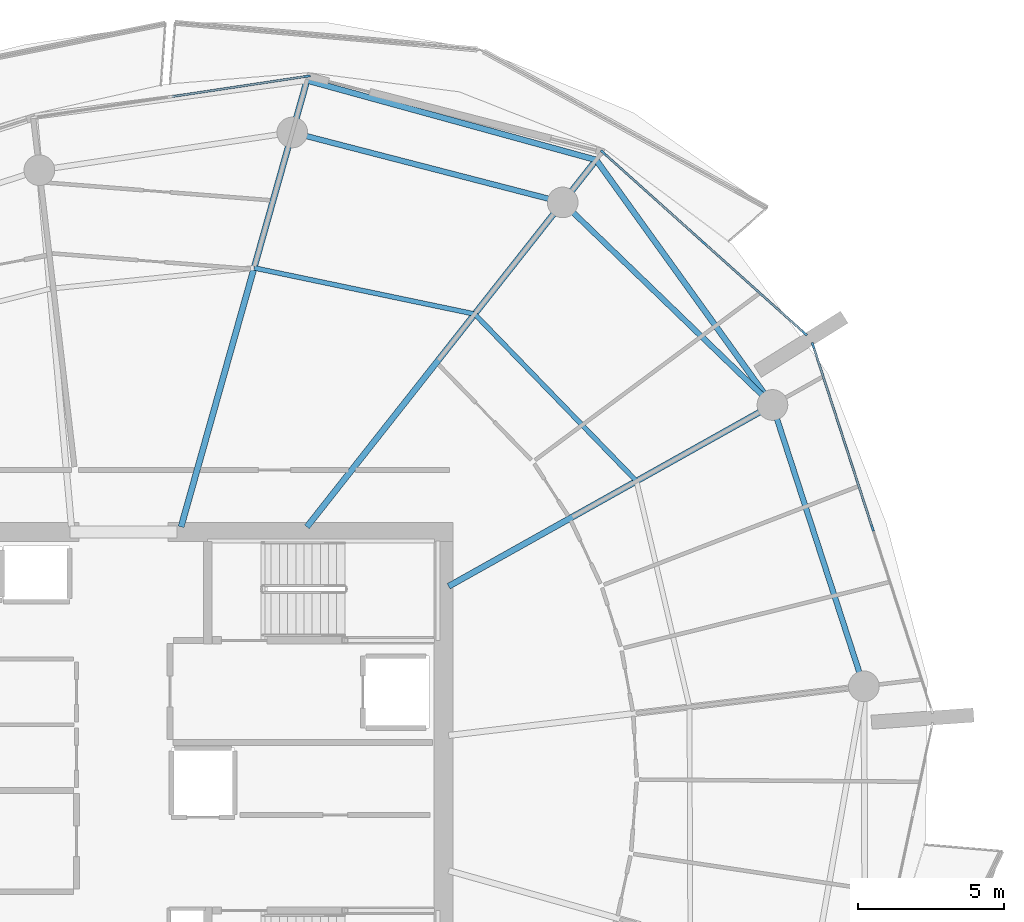
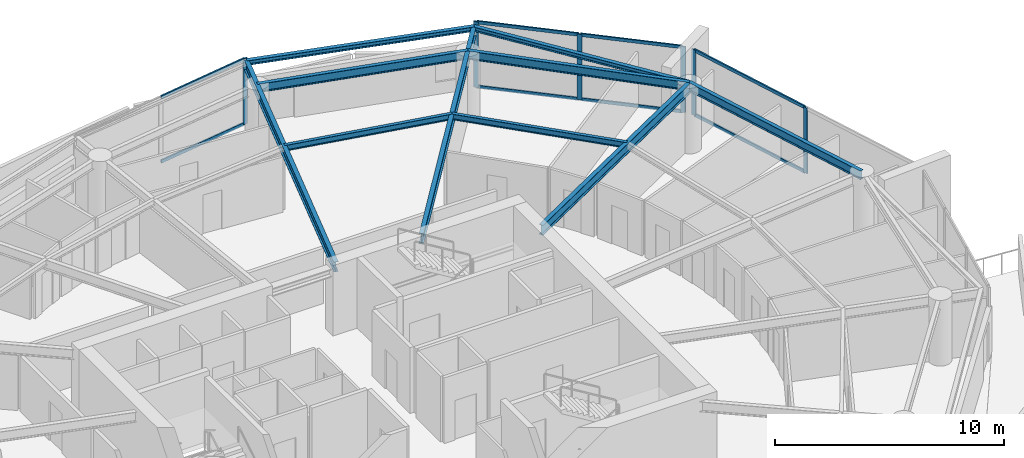
# One storey, part 9 of 20: 14 members, 10 beams, 3 elements without a shape of their own.
"""IFC4 building model written with IfcOpenShell, lengths in metres."""

import ifcopenshell
import ifcopenshell.guid

model = None  # the IFC model being written
_history = None  # IfcOwnerHistory: only IFC2X3 demands one
_inside = {}  # id of a spatial element -> (the spatial element, [elements in it])
_under = {}  # id of a project, library or spatial element -> (it, [spatial elements below it])
_declared = {}  # id of a project -> (the project, [libraries it declares])
_typed = {}  # id of a type object -> (the type object, [elements of that type])
_made_of = {}  # id of a material, layer set ... -> (it, [elements and type objects made of it])


def new_model(schema):
    """Start an empty IFC model of exactly this schema.

    Asked for "IFC4X3", IfcOpenShell would pick the latest addendum, in which some entities
    have other attributes; the version numbers below select the first issue.
    IFC2X3 requires an IfcOwnerHistory on every rooted entity: one is made here for all.
    """
    global model, _history
    if schema == "IFC4X3":
        model = ifcopenshell.file(schema_version=(4, 3, 0, 0))
    else:
        model = ifcopenshell.file(schema=schema)
    _inside.clear()
    _under.clear()
    _declared.clear()
    _typed.clear()
    _made_of.clear()
    _history = None
    if model.schema == "IFC2X3":
        org = make("IfcOrganization", Name="unknown")
        user = make(
            "IfcPersonAndOrganization",
            ThePerson=make("IfcPerson", FamilyName="unknown"),
            TheOrganization=org,
        )
        app = make(
            "IfcApplication",
            ApplicationDeveloper=org,
            Version="unknown",
            ApplicationFullName="unknown",
            ApplicationIdentifier="unknown",
        )
        _history = make(
            "IfcOwnerHistory",
            OwningUser=user,
            OwningApplication=app,
            ChangeAction="ADDED",
            CreationDate=0,
        )
    return model


def make(cls, **values):
    """One entity of the class cls with the attributes given. An attribute that is None is left unset."""
    return model.create_entity(
        cls, **{name: value for name, value in values.items() if value is not None}
    )


def rooted(cls, **values):
    """An entity with a GlobalId (a new one), such as an element, a storey or a relation."""
    return make(cls, GlobalId=ifcopenshell.guid.new(), OwnerHistory=_history, **values)


def si_unit(unit_type, name, prefix=None):
    """IfcSIUnit, for example si_unit("LENGTHUNIT", "METRE", prefix="MILLI")."""
    return make("IfcSIUnit", UnitType=unit_type, Prefix=prefix, Name=name)


def assignment(units):
    """IfcUnitAssignment: the units of a project."""
    return None if units is None else make("IfcUnitAssignment", Units=units)


def point(xyz):
    """IfcCartesianPoint."""
    return None if xyz is None else make("IfcCartesianPoint", Coordinates=xyz)


def direction(xyz):
    """IfcDirection."""
    return None if xyz is None else make("IfcDirection", DirectionRatios=xyz)


def frame(location, z_axis=None, x_axis=None):
    """IfcAxis2Placement3D, a coordinate frame: its origin and axes. An axis left out is left unset."""
    return make(
        "IfcAxis2Placement3D",
        Location=point(location),
        Axis=direction(z_axis),
        RefDirection=direction(x_axis),
    )


def frame_2d(location, x_axis=None):
    """IfcAxis2Placement2D, a coordinate frame in the plane: its origin and x axis."""
    return make(
        "IfcAxis2Placement2D", Location=point(location), RefDirection=direction(x_axis)
    )


def origin():
    """The frame at (0, 0, 0) with its axes left unset."""
    return frame((0.0, 0.0, 0.0))


def origin_2d():
    """The frame at (0, 0) in the plane with its x axis left unset."""
    return frame_2d((0.0, 0.0))


def place(relative_to, where):
    """IfcLocalPlacement: puts the frame where relative to a parent placement (None: the world)."""
    return make(
        "IfcLocalPlacement", PlacementRelTo=relative_to, RelativePlacement=where
    )


def context(
    kind, dimensions, precision=None, world=None, true_north=None, identifier=None
):
    """IfcGeometricRepresentationContext, for example the 3D "Model" context."""
    return make(
        "IfcGeometricRepresentationContext",
        ContextIdentifier=identifier,
        ContextType=kind,
        CoordinateSpaceDimension=dimensions,
        Precision=precision,
        WorldCoordinateSystem=world,
        TrueNorth=true_north,
    )


def subcontext(parent, identifier, kind, view, scale=None):
    """IfcGeometricRepresentationSubContext, for example "Body" below "Model"."""
    return make(
        "IfcGeometricRepresentationSubContext",
        ContextIdentifier=identifier,
        ContextType=kind,
        ParentContext=parent,
        TargetScale=scale,
        TargetView=view,
    )


def project(units=None, contexts=None):
    """IfcProject with its units and contexts."""
    return rooted(
        "IfcProject",
        Name="project",
        RepresentationContexts=contexts,
        UnitsInContext=assignment(units),
    )


def spatial(cls, under=None, at=None, **own):
    """A site, building, storey or space (cls), placed at a placement, below another one or the project."""
    s = rooted(cls, ObjectPlacement=at, **own)
    if under is not None:
        _under.setdefault(under.id(), (under, []))[1].append(s)
    return s


def profile(cls, at=None, kind="AREA", **sizes):
    """A parametric profile (cls). Its sizes go by their IFC names, for example OverallWidth=200.0."""
    return make(cls, ProfileType=kind, Position=at, **sizes)


def rectangle(**sizes):
    """IfcRectangleProfileDef."""
    return profile("IfcRectangleProfileDef", **sizes)


def i_section(**sizes):
    """IfcIShapeProfileDef."""
    return profile("IfcIShapeProfileDef", **sizes)


def extrude(swept, where, along, depth):
    """IfcExtrudedAreaSolid: the profile swept, set in the frame where, extruded along a direction by depth."""
    return make(
        "IfcExtrudedAreaSolid",
        SweptArea=swept,
        Position=where,
        ExtrudedDirection=direction(along),
        Depth=depth,
    )


def shape(context_of_items, identifier, shape_type, items):
    """IfcShapeRepresentation: the items that make up one representation, for example the "Body"."""
    return make(
        "IfcShapeRepresentation",
        ContextOfItems=context_of_items,
        RepresentationIdentifier=identifier,
        RepresentationType=shape_type,
        Items=items,
    )


def material(Name=None, Category=None):
    """IfcMaterial."""
    return make("IfcMaterial", Name=Name, Category=Category)


def layer(
    of_material, thickness, ventilated=None, Name=None, Category=None, Priority=None
):
    """IfcMaterialLayer: one layer of a wall or slab, of a material (None: an air gap)."""
    return make(
        "IfcMaterialLayer",
        Material=of_material,
        LayerThickness=thickness,
        IsVentilated=ventilated,
        Name=Name,
        Category=Category,
        Priority=Priority,
    )


def layer_set(layers, Name=None):
    """IfcMaterialLayerSet."""
    return make("IfcMaterialLayerSet", MaterialLayers=layers, LayerSetName=Name)


def material_profile(
    of_material, cross_section, Name=None, Category=None, Priority=None
):
    """IfcMaterialProfile: a cross section and its material."""
    return make(
        "IfcMaterialProfile",
        Name=Name,
        Material=of_material,
        Profile=cross_section,
        Priority=Priority,
        Category=Category,
    )


def profile_set(profiles, Name=None, composite=None):
    """IfcMaterialProfileSet."""
    return make(
        "IfcMaterialProfileSet",
        Name=Name,
        MaterialProfiles=profiles,
        CompositeProfile=composite,
    )


def made_of(thing, what):
    """Note that an element or type object is made of a material, layer set ...; save() writes the relation."""
    if what is not None:
        _made_of.setdefault(what.id(), (what, []))[1].append(thing)
    return thing


def type_object(cls, material=None, **own):
    """A type object (cls), such as IfcWallType, which elements share."""
    return made_of(rooted(cls, **own), material)


def element(
    cls,
    number,
    at=None,
    inside=None,
    cuts=None,
    type_object=None,
    material=None,
    context=None,
    identifier="Body",
    shape_type=None,
    held_by="IfcProductDefinitionShape",
    body=None,
    shapes=None,
    **own,
):
    """One element of the class cls, such as IfcWall. Its Tag is "e" and its number.

    at: its placement. inside: the storey or other place that contains it. cuts: it is an
    opening in that element (IfcRelVoidsElement). A single representation is given by context,
    identifier, shape_type and body (its items); several are given by shapes. held_by: the class
    of the entity that holds the representations. save() writes the other relations.
    """
    e = rooted(cls, Tag="e%d" % number, ObjectPlacement=at, **own)
    if body is not None:
        shapes = [shape(context, identifier, shape_type, body)]
    if shapes is not None:
        e.Representation = make(held_by, Representations=shapes)
    if inside is not None:
        _inside.setdefault(inside.id(), (inside, []))[1].append(e)
    if cuts is not None:
        rooted(
            "IfcRelVoidsElement", RelatingBuildingElement=cuts, RelatedOpeningElement=e
        )
    if type_object is not None:
        _typed.setdefault(type_object.id(), (type_object, []))[1].append(e)
    return made_of(e, material)


def aggregate(whole, parts):
    """IfcRelAggregates: a whole, such as a stair, and the parts it consists of."""
    return rooted("IfcRelAggregates", RelatingObject=whole, RelatedObjects=parts)


def save(model, path):
    """Write the relations noted so far, then the file.

    IfcRelAggregates (storeys below a building ...), IfcRelContainedInSpatialStructure (elements
    in a storey), IfcRelDefinesByType, IfcRelAssociatesMaterial and IfcRelDeclares: one each for
    every whole, place, type object, material and project.
    """
    for whole, parts in _under.values():
        aggregate(whole, parts)
    for where, things in _inside.values():
        rooted(
            "IfcRelContainedInSpatialStructure",
            RelatedElements=things,
            RelatingStructure=where,
        )
    for kind, things in _typed.values():
        rooted("IfcRelDefinesByType", RelatedObjects=things, RelatingType=kind)
    for what, things in _made_of.values():
        rooted("IfcRelAssociatesMaterial", RelatedObjects=things, RelatingMaterial=what)
    for by, libraries in _declared.values():
        rooted("IfcRelDeclares", RelatingContext=by, RelatedDefinitions=libraries)
    model.write(path)


model = new_model("IFC4")

# Units and contexts
model_context = context("Model", 3, precision=1e-05, world=origin(), true_north=direction((0.0, 1.0)))
body_context = subcontext(model_context, "Body", "Model", "MODEL_VIEW")
ifc_project = project(units=[si_unit("LENGTHUNIT", "METRE"), si_unit("AREAUNIT", "SQUARE_METRE"), si_unit("VOLUMEUNIT", "CUBIC_METRE"), si_unit("PLANEANGLEUNIT", "RADIAN"), si_unit("MASSUNIT", "GRAM", prefix="KILO")], contexts=[model_context])

# Site, building, storey
site_placement = place(None, origin())
site = spatial("IfcSite", under=ifc_project, at=site_placement, CompositionType="ELEMENT")
building_placement = place(site_placement, origin())
building = spatial("IfcBuilding", under=site, at=building_placement, Name="Kazma Halo Residences", CompositionType="ELEMENT")
storey_placement = place(building_placement, frame((0.0, 0.0, 210.300048828125)))
storey = spatial("IfcBuildingStorey", under=building, at=storey_placement, Name="L53", CompositionType="ELEMENT", Elevation=210.300048828125)

# Beams
ifc_material_1 = material(Name="Steel S355", Category="steel")
ifc_material_profile_1 = material_profile(ifc_material_1, i_section(OverallWidth=0.201904296875, OverallDepth=0.2470703125, WebThickness=0.00732421875, FlangeThickness=0.010986328125, FilletRadius=0.011962890625, at=origin_2d()), Name="W250x49.1")
ifc_profile_set_1 = profile_set([ifc_material_profile_1], Name="Steel S355")
beam_type_1 = type_object("IfcBeamType", Name="BM-BAL-CANT", PredefinedType="BEAM", material=ifc_profile_set_1)
beam_1_placement = place(storey_placement, frame((70.625, 54.670654296875, 3.37646484375), z_axis=(-0.583963922576, 0.811779611181, 0.0), x_axis=(-0.811779611181, -0.583963922576, 0.0)))
element("IfcBeam", 1, at=beam_1_placement, inside=storey, type_object=beam_type_1, Name="L53 wave-balcony lead tie beam 01", PredefinedType="BEAM", context=body_context, shape_type="SweptSolid", body=[
    extrude(i_section(OverallWidth=0.201904296875, OverallDepth=0.2470703125, WebThickness=0.00732421875, FlangeThickness=0.010986328125, FilletRadius=0.011962890625, at=origin_2d()), origin(), (0.0, 0.0, 1.0), 10.324462890625),
])
beam_2_placement = place(storey_placement, frame((64.595947265625, 63.0517578125, 3.37646484375), z_axis=(-0.964197026197, 0.265186905169, 0.0), x_axis=(-0.265186905169, -0.964197026197, 0.0)))
element("IfcBeam", 2, at=beam_2_placement, inside=storey, type_object=beam_type_1, Name="L53 wave-balcony tie beam 02", PredefinedType="BEAM", context=body_context, shape_type="SweptSolid", body=[
    extrude(i_section(OverallWidth=0.201904296875, OverallDepth=0.2470703125, WebThickness=0.00732421875, FlangeThickness=0.010986328125, FilletRadius=0.011962890625, at=origin_2d()), origin(), (0.0, 0.0, 1.0), 10.258544921875),
])
ifc_material_profile_2 = material_profile(ifc_material_1, i_section(OverallWidth=0.208984375, OverallDepth=0.532958984375, WebThickness=0.01025390625, FlangeThickness=0.015625, FilletRadius=0.01611328125, at=origin_2d()), Name="W530x92")
ifc_profile_set_2 = profile_set([ifc_material_profile_2], Name="Steel S355")
beam_type_2 = type_object("IfcBeamType", Name="BM-RAD-W530", PredefinedType="BEAM", material=ifc_profile_set_2)
beam_3_placement = place(storey_placement, frame((59.550048828125, 48.46826171875, 3.2333984375), z_axis=(0.872491912539, 0.488628552742, 0.0), x_axis=(-0.488628552742, 0.872491912539, 0.0)))
element("IfcBeam", 3, at=beam_3_placement, inside=storey, type_object=beam_type_2, Name="L53 radial floor beam 01", PredefinedType="BEAM", context=body_context, shape_type="SweptSolid", body=[
    extrude(i_section(OverallWidth=0.208984375, OverallDepth=0.532958984375, WebThickness=0.01025390625, FlangeThickness=0.015625, FilletRadius=0.01611328125, at=origin_2d()), origin(), (0.0, 0.0, 1.0), 12.693359375),
])
beam_4_placement = place(storey_placement, frame((54.700927734375, 50.5, 3.2333984375), z_axis=(0.61909439419, 0.785316580165, 0.0), x_axis=(-0.785316580165, 0.61909439419, 0.0)))
element("IfcBeam", 4, at=beam_4_placement, inside=storey, type_object=beam_type_2, Name="L53 radial floor beam 02", PredefinedType="BEAM", context=body_context, shape_type="SweptSolid", body=[
    extrude(i_section(OverallWidth=0.208984375, OverallDepth=0.532958984375, WebThickness=0.01025390625, FlangeThickness=0.015625, FilletRadius=0.01611328125, at=origin_2d()), origin(), (0.0, 0.0, 1.0), 15.983154296875),
])
beam_5_placement = place(storey_placement, frame((50.397216796875, 50.5, 3.2333984375), z_axis=(0.271449932859, 0.962452561922, 0.0), x_axis=(-0.962452561922, 0.271449932859, 0.0)))
element("IfcBeam", 5, at=beam_5_placement, inside=storey, type_object=beam_type_2, Name="L53 radial floor beam 03", PredefinedType="BEAM", context=body_context, shape_type="SweptSolid", body=[
    extrude(i_section(OverallWidth=0.208984375, OverallDepth=0.532958984375, WebThickness=0.01025390625, FlangeThickness=0.015625, FilletRadius=0.01611328125, at=origin_2d()), origin(), (0.0, 0.0, 1.0), 15.867919921875),
])
ifc_material_profile_3 = material_profile(ifc_material_1, i_section(OverallWidth=0.1650390625, OverallDepth=0.31005859375, WebThickness=0.005859375, FlangeThickness=0.009765625, FilletRadius=0.011962890625, at=origin_2d()), Name="W310x38.7")
ifc_profile_set_3 = profile_set([ifc_material_profile_3], Name="Steel S355")
beam_type_3 = type_object("IfcBeamType", Name="BM-SEC-W310B", PredefinedType="JOIST", material=ifc_profile_set_3)
beam_6_placement = place(storey_placement, frame((65.9736328125, 52.065673828125, 3.344970703125), z_axis=(-0.695659633946, 0.718371542934, 0.0), x_axis=(-0.718371542934, -0.695659633946, 0.0)))
element("IfcBeam", 6, at=beam_6_placement, inside=storey, type_object=beam_type_3, Name="L53 circumferential floor joist 01", PredefinedType="JOIST", context=body_context, shape_type="SweptSolid", body=[
    extrude(i_section(OverallWidth=0.1650390625, OverallDepth=0.31005859375, WebThickness=0.005859375, FlangeThickness=0.009765625, FilletRadius=0.011962890625, at=origin_2d()), origin(), (0.0, 0.0, 1.0), 7.95458984375),
])
beam_7_placement = place(storey_placement, frame((60.43994140625, 57.780029296875, 3.344970703125), z_axis=(-0.978821484976, 0.204715657802, 0.0), x_axis=(-0.204715657802, -0.978821484976, 0.0)))
element("IfcBeam", 7, at=beam_7_placement, inside=storey, type_object=beam_type_3, Name="L53 circumferential floor joist 02", PredefinedType="JOIST", context=body_context, shape_type="SweptSolid", body=[
    extrude(i_section(OverallWidth=0.1650390625, OverallDepth=0.31005859375, WebThickness=0.005859375, FlangeThickness=0.009765625, FilletRadius=0.011962890625, at=origin_2d()), origin(), (0.0, 0.0, 1.0), 7.707763671875),
])
ifc_material_profile_4 = material_profile(ifc_material_1, i_section(OverallWidth=0.18994140625, OverallDepth=0.45703125, WebThickness=0.009033203125, FlangeThickness=0.014404296875, FilletRadius=0.01611328125, at=origin_2d()), Name="W460x74")
ifc_profile_set_4 = profile_set([ifc_material_profile_4], Name="Steel S355")
beam_type_4 = type_object("IfcBeamType", Name="BM-SPN-W460", PredefinedType="BEAM", material=ifc_profile_set_4)
beam_8_placement = place(storey_placement, frame((70.625, 54.670654296875, 3.271484375), z_axis=(-0.71933650181, 0.694661786169, 0.0), x_axis=(-0.694661786169, -0.71933650181, 0.0)))
element("IfcBeam", 8, at=beam_8_placement, inside=storey, type_object=beam_type_4, Name="L53 perimeter ring beam 01", PredefinedType="BEAM", context=body_context, shape_type="SweptSolid", body=[
    extrude(i_section(OverallWidth=0.18994140625, OverallDepth=0.45703125, WebThickness=0.009033203125, FlangeThickness=0.014404296875, FilletRadius=0.01611328125, at=origin_2d()), origin(), (0.0, 0.0, 1.0), 9.9736328125),
])
beam_9_placement = place(storey_placement, frame((63.45068359375, 61.598876953125, 3.271484375), z_axis=(-0.968120950739, 0.25048318255, 0.0), x_axis=(-0.25048318255, -0.968120950739, 0.0)))
element("IfcBeam", 9, at=beam_9_placement, inside=storey, type_object=beam_type_4, Name="L53 perimeter ring beam 02", PredefinedType="BEAM", context=body_context, shape_type="SweptSolid", body=[
    extrude(i_section(OverallWidth=0.18994140625, OverallDepth=0.45703125, WebThickness=0.009033203125, FlangeThickness=0.014404296875, FilletRadius=0.01611328125, at=origin_2d()), origin(), (0.0, 0.0, 1.0), 9.552734375),
])
beam_10_placement = place(storey_placement, frame((73.751708984375, 45.0478515625, 3.271484375), z_axis=(-0.309023327426, 0.951054458539, 0.0), x_axis=(-0.951054458539, -0.309023327426, 0.0)))
element("IfcBeam", 10, at=beam_10_placement, inside=storey, type_object=beam_type_4, Name="L53 perimeter ring beam 16", PredefinedType="BEAM", context=body_context, shape_type="SweptSolid", body=[
    extrude(i_section(OverallWidth=0.18994140625, OverallDepth=0.45703125, WebThickness=0.009033203125, FlangeThickness=0.014404296875, FilletRadius=0.01611328125, at=origin_2d()), origin(), (0.0, 0.0, 1.0), 10.117919921875),
])

# Curtain wall, members
ifc_material_2 = material(Name="Aluminium AW-6063 T6 and Triple-Silver Low-E Glass", Category="aluminium")
ifc_layer = layer(ifc_material_2, 0.219970703125)
ifc_layer_set = layer_set([ifc_layer], Name="Aluminium AW-6063 T6 and Triple-Silver Low-E Glass")
curtain_wall_type = type_object("IfcCurtainWallType", Name="CW-SYS-4", PredefinedType="NOTDEFINED", material=ifc_layer_set)
curtain_wall_1_placement = place(storey_placement, origin())
curtain_wall_1 = element("IfcCurtainWall", 11, at=curtain_wall_1_placement, inside=storey, type_object=curtain_wall_type, Name="L53 unitised curtain wall B01", PredefinedType="NOTDEFINED")
ifc_material_3 = material(Name="Aluminium AW-6063 T6", Category="aluminium")
ifc_material_profile_5 = material_profile(ifc_material_3, rectangle(XDim=0.074951171875, YDim=0.219970703125, at=origin_2d()), Name="CWM-75x220")
ifc_profile_set_5 = profile_set([ifc_material_profile_5], Name="Aluminium AW-6063 T6")
member_type_1 = type_object("IfcMemberType", Name="CW-SYS-4-MUL", PredefinedType="MULLION", material=ifc_profile_set_5)
member_1_placement = place(storey_placement, frame((71.7216796875, 57.126220703125, 0.0), z_axis=(0.0, 0.0, 1.0), x_axis=(-0.667784328806, -0.744354814723, 0.0)))
member_1 = element("IfcMember", 12, at=member_1_placement, type_object=member_type_1, Name="CWS-4 mullion 1", PredefinedType="MULLION", context=body_context, shape_type="SweptSolid", body=[
    extrude(rectangle(XDim=0.074951171875, YDim=0.219970703125, at=origin_2d()), origin(), (0.0, 0.0, 1.0), 3.5),
])
member_2_placement = place(storey_placement, frame((68.280517578125, 60.213134765625, 0.0), z_axis=(0.0, 0.0, 1.0), x_axis=(-0.667784328806, -0.744354814723, 0.0)))
member_2 = element("IfcMember", 13, at=member_2_placement, type_object=member_type_1, Name="CWS-4 mullion 2", PredefinedType="MULLION", context=body_context, shape_type="SweptSolid", body=[
    extrude(rectangle(XDim=0.074951171875, YDim=0.219970703125, at=origin_2d()), origin(), (0.0, 0.0, 1.0), 3.5),
])
member_3_placement = place(storey_placement, frame((64.839599609375, 63.30029296875, 0.0), z_axis=(0.0, 0.0, 1.0), x_axis=(-0.667784328806, -0.744354814723, 0.0)))
member_3 = element("IfcMember", 14, at=member_3_placement, type_object=member_type_1, Name="CWS-4 mullion 3", PredefinedType="MULLION", context=body_context, shape_type="SweptSolid", body=[
    extrude(rectangle(XDim=0.074951171875, YDim=0.219970703125, at=origin_2d()), origin(), (0.0, 0.0, 1.0), 3.5),
])

# Curtain wall, member
curtain_wall_2_placement = place(storey_placement, origin())
curtain_wall_2 = element("IfcCurtainWall", 15, at=curtain_wall_2_placement, inside=storey, type_object=curtain_wall_type, Name="L53 unitised curtain wall B03", PredefinedType="NOTDEFINED")
member_4_placement = place(storey_placement, frame((54.708740234375, 65.913330078125, 0.0), z_axis=(0.0, 0.0, 1.0), x_axis=(0.148772639188, -0.988871428361, 0.0)))
member_4 = element("IfcMember", 16, at=member_4_placement, type_object=member_type_1, Name="CWS-4 mullion 1", PredefinedType="MULLION", context=body_context, shape_type="SweptSolid", body=[
    extrude(rectangle(XDim=0.074951171875, YDim=0.219970703125, at=origin_2d()), origin(), (0.0, 0.0, 1.0), 3.5),
])

# Curtain wall, members
curtain_wall_3_placement = place(storey_placement, origin())
curtain_wall_3 = element("IfcCurtainWall", 17, at=curtain_wall_3_placement, inside=storey, type_object=curtain_wall_type, Name="L53 unitised curtain wall B16", PredefinedType="NOTDEFINED")
member_5_placement = place(storey_placement, frame((74.04345703125, 50.4619140625, 0.0), z_axis=(0.0, 0.0, 1.0), x_axis=(-0.951056893636, -0.309015833038, 0.0)))
member_5 = element("IfcMember", 18, at=member_5_placement, type_object=member_type_1, Name="CWS-4 mullion 2", PredefinedType="MULLION", context=body_context, shape_type="SweptSolid", body=[
    extrude(rectangle(XDim=0.074951171875, YDim=0.219970703125, at=origin_2d()), origin(), (0.0, 0.0, 1.0), 3.5),
])
member_6_placement = place(storey_placement, frame((72.015625, 56.702880859375, 0.0), z_axis=(0.0, 0.0, 1.0), x_axis=(-0.951056893636, -0.309015833038, 0.0)))
member_6 = element("IfcMember", 19, at=member_6_placement, type_object=member_type_1, Name="CWS-4 mullion 3", PredefinedType="MULLION", context=body_context, shape_type="SweptSolid", body=[
    extrude(rectangle(XDim=0.074951171875, YDim=0.219970703125, at=origin_2d()), origin(), (0.0, 0.0, 1.0), 3.5),
])

# Member
ifc_material_profile_6 = material_profile(ifc_material_3, rectangle(XDim=0.074951171875, YDim=0.1650390625, at=origin_2d()), Name="CWT-75x165")
ifc_profile_set_6 = profile_set([ifc_material_profile_6], Name="Aluminium AW-6063 T6")
member_type_2 = type_object("IfcMemberType", Name="CW-SYS-4-TRN", PredefinedType="USERDEFINED", material=ifc_profile_set_6)
member_7_placement = place(storey_placement, frame((71.69384765625, 57.151123046875, 0.037353515625), z_axis=(-0.744344906673, 0.667795372783, 0.0), x_axis=(-0.667795372783, -0.744344906673, 0.0)))
member_7 = element("IfcMember", 20, at=member_7_placement, type_object=member_type_2, Name="CWS-4 transom 1.1", ObjectType="TRANSOM", PredefinedType="USERDEFINED", context=body_context, shape_type="SweptSolid", body=[
    extrude(rectangle(XDim=0.074951171875, YDim=0.1650390625, at=origin_2d()), origin(), (0.0, 0.0, 1.0), 4.5478515625),
])

member_8_placement = place(storey_placement, frame((71.69384765625, 57.151123046875, 3.46240234375), z_axis=(-0.744344906673, 0.667795372783, 0.0), x_axis=(-0.667795372783, -0.744344906673, 0.0)))
member_8 = element("IfcMember", 21, at=member_8_placement, type_object=member_type_2, Name="CWS-4 transom 1.2", ObjectType="TRANSOM", PredefinedType="USERDEFINED", context=body_context, shape_type="SweptSolid", body=[
    extrude(rectangle(XDim=0.074951171875, YDim=0.1650390625, at=origin_2d()), origin(), (0.0, 0.0, 1.0), 4.5478515625),
])

member_9_placement = place(storey_placement, frame((68.252685546875, 60.23828125, 0.037353515625), z_axis=(-0.744344906673, 0.667795372783, 0.0), x_axis=(-0.667795372783, -0.744344906673, 0.0)))
member_9 = element("IfcMember", 22, at=member_9_placement, type_object=member_type_2, Name="CWS-4 transom 2.1", ObjectType="TRANSOM", PredefinedType="USERDEFINED", context=body_context, shape_type="SweptSolid", body=[
    extrude(rectangle(XDim=0.074951171875, YDim=0.1650390625, at=origin_2d()), origin(), (0.0, 0.0, 1.0), 4.5478515625),
])

member_10_placement = place(storey_placement, frame((68.252685546875, 60.23828125, 3.46240234375), z_axis=(-0.744344906673, 0.667795372783, 0.0), x_axis=(-0.667795372783, -0.744344906673, 0.0)))
member_10 = element("IfcMember", 23, at=member_10_placement, type_object=member_type_2, Name="CWS-4 transom 2.2", ObjectType="TRANSOM", PredefinedType="USERDEFINED", context=body_context, shape_type="SweptSolid", body=[
    extrude(rectangle(XDim=0.074951171875, YDim=0.1650390625, at=origin_2d()), origin(), (0.0, 0.0, 1.0), 4.5478515625),
])

aggregate(curtain_wall_1, [member_1, member_2, member_3, member_7, member_8, member_9, member_10])

member_11_placement = place(storey_placement, frame((54.671630859375, 65.907958984375, 0.037353515625), z_axis=(-0.988867623216, -0.148797929272, 0.0), x_axis=(0.148797929272, -0.988867623216, 0.0)))
member_11 = element("IfcMember", 24, at=member_11_placement, type_object=member_type_2, Name="CWS-4 transom 1.1", ObjectType="TRANSOM", PredefinedType="USERDEFINED", context=body_context, shape_type="SweptSolid", body=[
    extrude(rectangle(XDim=0.074951171875, YDim=0.1650390625, at=origin_2d()), origin(), (0.0, 0.0, 1.0), 4.64501953125),
])

member_12_placement = place(storey_placement, frame((54.671630859375, 65.907958984375, 3.46240234375), z_axis=(-0.988867623216, -0.148797929272, 0.0), x_axis=(0.148797929272, -0.988867623216, 0.0)))
member_12 = element("IfcMember", 25, at=member_12_placement, type_object=member_type_2, Name="CWS-4 transom 1.2", ObjectType="TRANSOM", PredefinedType="USERDEFINED", context=body_context, shape_type="SweptSolid", body=[
    extrude(rectangle(XDim=0.074951171875, YDim=0.1650390625, at=origin_2d()), origin(), (0.0, 0.0, 1.0), 4.64501953125),
])

aggregate(curtain_wall_2, [member_4, member_11, member_12])

member_13_placement = place(storey_placement, frame((74.031982421875, 50.49755859375, 0.037353515625), z_axis=(-0.309015440644, 0.951057021132, 0.0), x_axis=(-0.951057021132, -0.309015440644, 0.0)))
member_13 = element("IfcMember", 26, at=member_13_placement, type_object=member_type_2, Name="CWS-4 transom 2.1", ObjectType="TRANSOM", PredefinedType="USERDEFINED", context=body_context, shape_type="SweptSolid", body=[
    extrude(rectangle(XDim=0.074951171875, YDim=0.1650390625, at=origin_2d()), origin(), (0.0, 0.0, 1.0), 6.487060546875),
])

member_14_placement = place(storey_placement, frame((74.031982421875, 50.49755859375, 3.46240234375), z_axis=(-0.309015440644, 0.951057021132, 0.0), x_axis=(-0.951057021132, -0.309015440644, 0.0)))
member_14 = element("IfcMember", 27, at=member_14_placement, type_object=member_type_2, Name="CWS-4 transom 2.2", ObjectType="TRANSOM", PredefinedType="USERDEFINED", context=body_context, shape_type="SweptSolid", body=[
    extrude(rectangle(XDim=0.074951171875, YDim=0.1650390625, at=origin_2d()), origin(), (0.0, 0.0, 1.0), 6.487060546875),
])

aggregate(curtain_wall_3, [member_5, member_6, member_13, member_14])

save(model, "model.ifc")
